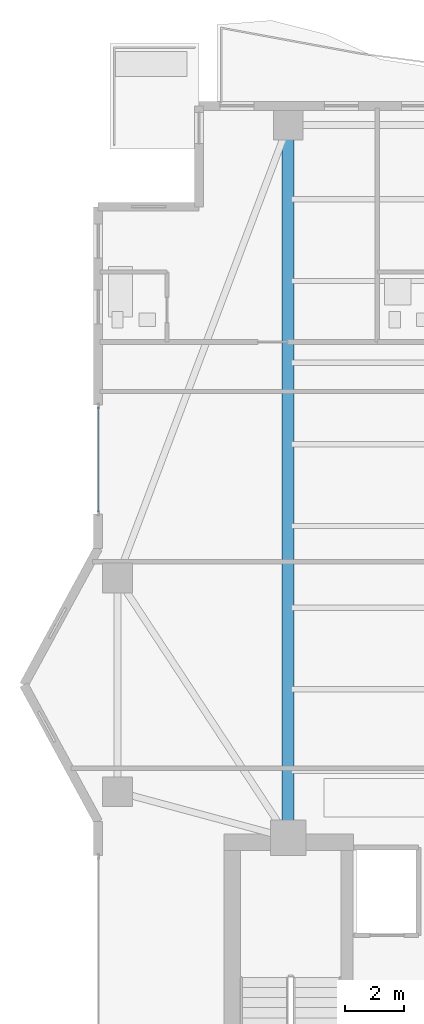
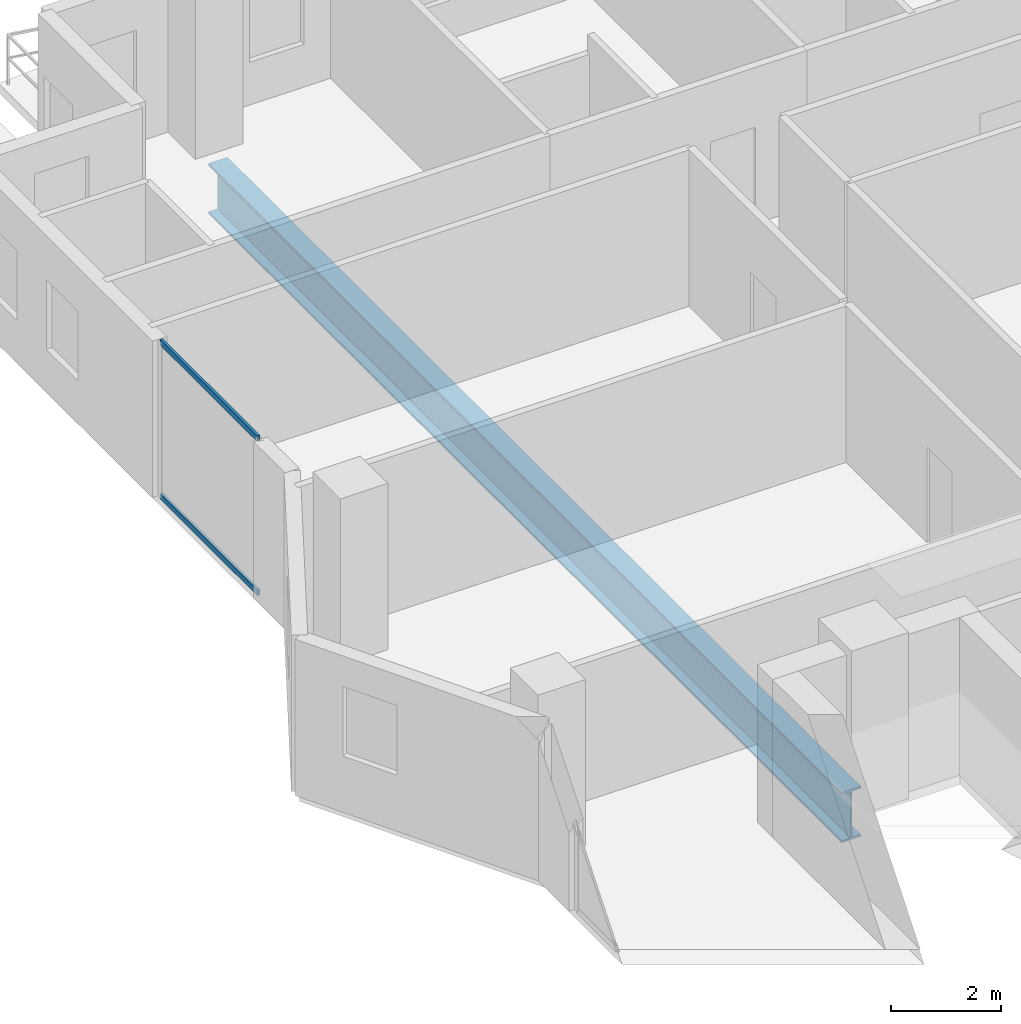
# One storey, part 7 of 24: 2 members, 1 beam, 1 element without a shape of its own.
"""IFC4 building model written with IfcOpenShell, lengths in metres."""

from ifc_helpers import new_model, si_unit, direction, frame, origin, origin_2d, place, context, subcontext, project, spatial, hollow_rectangle, i_section, extrude, material, layer, layer_set, material_profile, profile_set, type_object, element, aggregate, save


model = new_model("IFC4")

# Units and contexts
model_context = context("Model", 3, precision=1e-05, world=origin(), true_north=direction((0.0, 1.0)))
body_context = subcontext(model_context, "Body", "Model", "MODEL_VIEW")
ifc_project = project(units=[si_unit("LENGTHUNIT", "METRE"), si_unit("AREAUNIT", "SQUARE_METRE"), si_unit("VOLUMEUNIT", "CUBIC_METRE"), si_unit("PLANEANGLEUNIT", "RADIAN"), si_unit("MASSUNIT", "GRAM", prefix="KILO")], contexts=[model_context])

# Site, building, storey
site_placement = place(None, origin())
site = spatial("IfcSite", under=ifc_project, at=site_placement, CompositionType="ELEMENT")
building_placement = place(site_placement, origin())
building = spatial("IfcBuilding", under=site, at=building_placement, Name="Zuhayl Quay Hotel", CompositionType="ELEMENT")
storey_placement = place(building_placement, frame((0.0, 0.0, 276.64990234375)))
storey = spatial("IfcBuildingStorey", under=building, at=storey_placement, Name="L70", CompositionType="ELEMENT", Elevation=276.64990234375)

# Beam
ifc_material_1 = material(Name="Steel ASTM A913 Grade 65", Category="steel")
ifc_material_profile_1 = material_profile(ifc_material_1, i_section(OverallWidth=0.404052734375, OverallDepth=1.117919921875, WebThickness=0.026123046875, FlangeThickness=0.044921875, at=origin_2d()), Name="W44X335")
ifc_profile_set_1 = profile_set([ifc_material_profile_1], Name="Steel ASTM A913 Grade 65")
beam_type = type_object("IfcBeamType", Name="BM_TG1_W44X335", PredefinedType="BEAM", material=ifc_profile_set_1)
beam_placement = place(storey_placement, frame((-13.800048828125, 14.800048828125, -0.77880859375), z_axis=(0.0, 1.0, 0.0), x_axis=(-1.0, 0.0, 0.0)))
element("IfcBeam", 1, at=beam_placement, inside=storey, type_object=beam_type, Name="L70 Floor Beam FG_N_L70_1", PredefinedType="BEAM", context=body_context, shape_type="SweptSolid", body=[
    extrude(i_section(OverallWidth=0.404052734375, OverallDepth=1.117919921875, WebThickness=0.026123046875, FlangeThickness=0.044921875, at=origin_2d()), origin(), (0.0, 0.0, 1.0), 23.08984375),
])

# Curtain wall, members
ifc_material_2 = material(Name="Anodised Aluminium 6063-T6", Category="aluminium")
ifc_layer = layer(ifc_material_2, 0.169921875, Name="Anodised Aluminium 6063-T6", Category="aluminium")
ifc_layer_set = layer_set([ifc_layer], Name="Anodised Aluminium 6063-T6")
curtain_wall_type = type_object("IfcCurtainWallType", Name="CW_SYS_Z4", PredefinedType="USERDEFINED", material=ifc_layer_set)
curtain_wall_placement = place(storey_placement, origin())
curtain_wall = element("IfcCurtainWall", 2, at=curtain_wall_placement, inside=storey, type_object=curtain_wall_type, Name="L70 Curtain Wall ENV_L70_E05_CW1", ObjectType="UNITISED CURTAIN WALL", PredefinedType="USERDEFINED")
ifc_material_3 = material(Name="Black-anodised aluminium 6063-T6", Category="aluminium")
ifc_material_profile_2 = material_profile(ifc_material_3, hollow_rectangle(XDim=0.054931640625, YDim=0.1298828125, WallThickness=0.0029296875, at=origin_2d()), Name="ALU130X55")
ifc_profile_set_2 = profile_set([ifc_material_profile_2], Name="Black-anodised aluminium 6063-T6")
member_type = type_object("IfcMemberType", Name="MB_CW_TRN_130", PredefinedType="USERDEFINED", material=ifc_profile_set_2)
member_1_placement = place(storey_placement, frame((-20.199951171875, 25.31494140625, 0.027587890625), z_axis=(0.0, 1.0, 0.0), x_axis=(-1.0, 0.0, 0.0)))
member_1 = element("IfcMember", 3, at=member_1_placement, type_object=member_type, Name="CW-Z4 transom 1.1", ObjectType="TRANSOM", PredefinedType="USERDEFINED", context=body_context, shape_type="SweptSolid", body=[
    extrude(hollow_rectangle(XDim=0.054931640625, YDim=0.1298828125, WallThickness=0.0029296875, at=origin_2d()), origin(), (0.0, 0.0, 1.0), 3.550048828125),
])
member_2_placement = place(storey_placement, frame((-20.199951171875, 25.31494140625, 3.45263671875), z_axis=(0.0, 1.0, 0.0), x_axis=(-1.0, 0.0, 0.0)))
member_2 = element("IfcMember", 4, at=member_2_placement, type_object=member_type, Name="CW-Z4 transom 1.2", ObjectType="TRANSOM", PredefinedType="USERDEFINED", context=body_context, shape_type="SweptSolid", body=[
    extrude(hollow_rectangle(XDim=0.054931640625, YDim=0.1298828125, WallThickness=0.0029296875, at=origin_2d()), origin(), (0.0, 0.0, 1.0), 3.550048828125),
])
aggregate(curtain_wall, [member_1, member_2])

save(model, "model.ifc")
